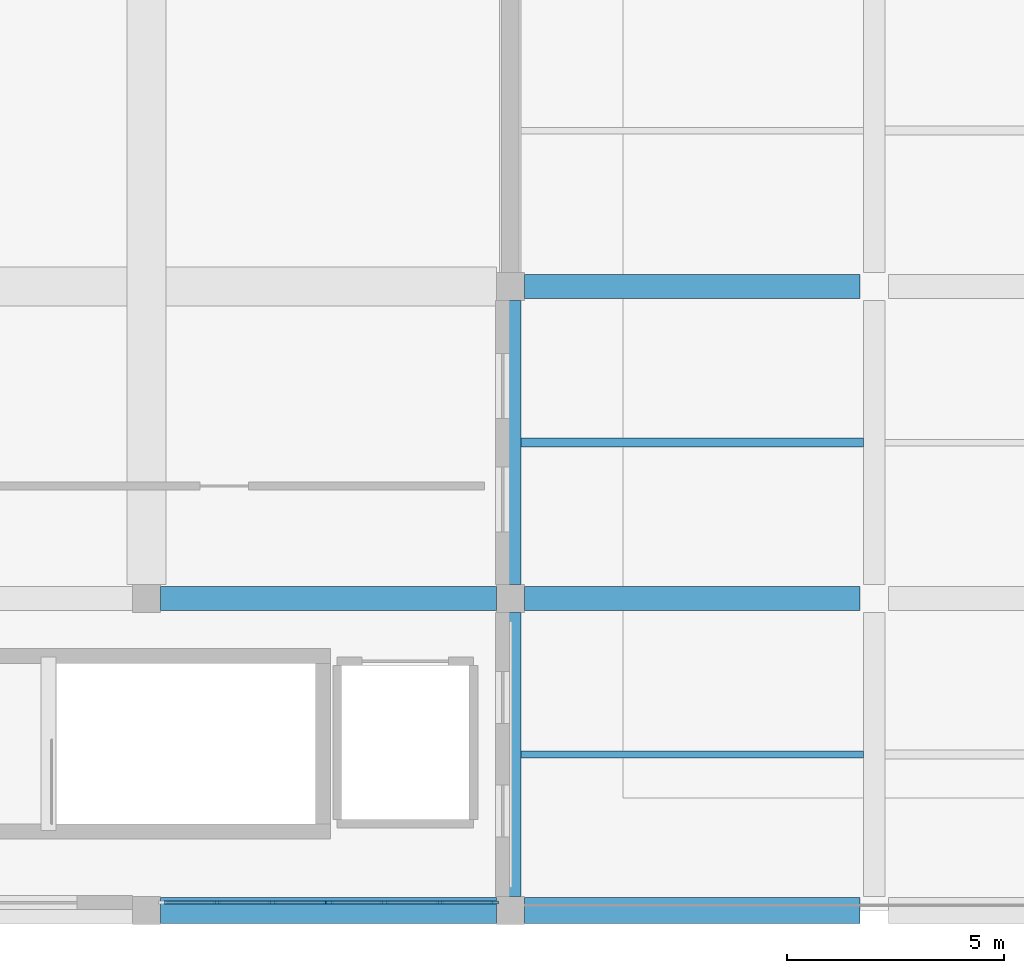
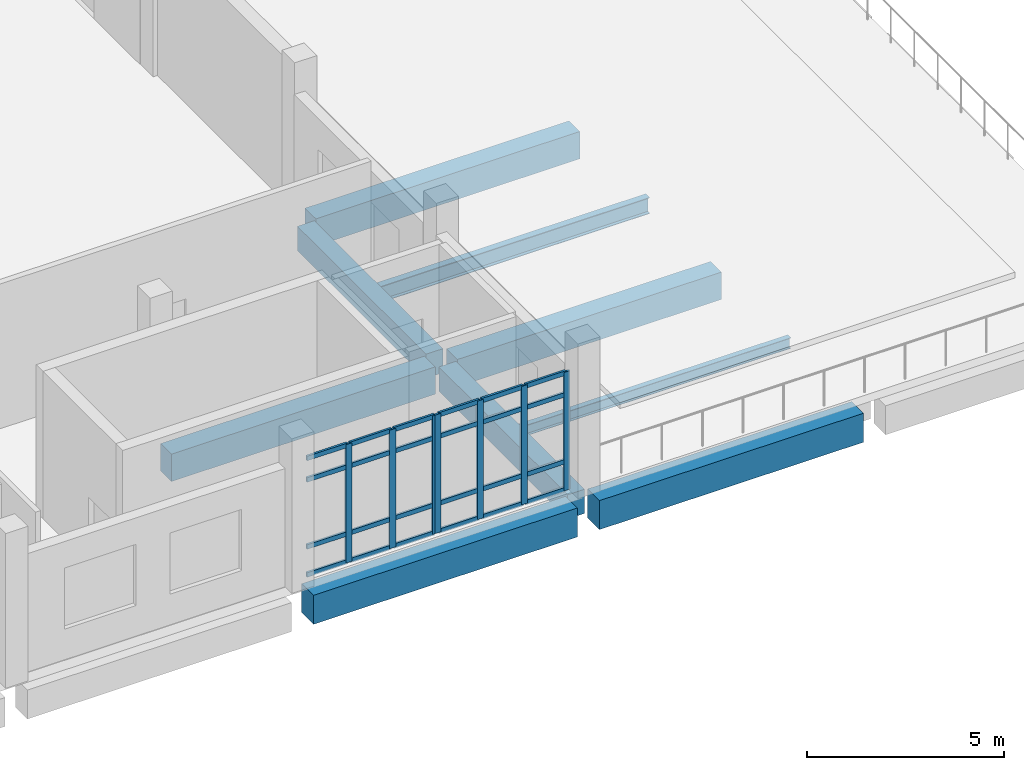
# One storey, part 3 of 73: 31 members, 9 beams, 2 elements without a shape of their own.
"""IFC4 building model written with IfcOpenShell, lengths in metres."""

from ifc_helpers import new_model, si_unit, direction, frame, origin, origin_2d, place, context, subcontext, project, spatial, rectangle, i_section, extrude, material, layer, layer_set, material_profile, profile_set, type_object, element, aggregate, save


model = new_model("IFC4")

# Units and contexts
model_context = context("Model", 3, precision=1e-05, world=origin(), true_north=direction((0.0, 1.0)))
body_context = subcontext(model_context, "Body", "Model", "MODEL_VIEW")
ifc_project = project(units=[si_unit("LENGTHUNIT", "METRE"), si_unit("AREAUNIT", "SQUARE_METRE"), si_unit("VOLUMEUNIT", "CUBIC_METRE"), si_unit("PLANEANGLEUNIT", "RADIAN"), si_unit("MASSUNIT", "GRAM", prefix="KILO")], contexts=[model_context])

# Site, building, storey
site_placement = place(None, origin())
site = spatial("IfcSite", under=ifc_project, at=site_placement, CompositionType="ELEMENT")
building_placement = place(site_placement, origin())
building = spatial("IfcBuilding", under=site, at=building_placement, Name="Kelarvand Opera House", CompositionType="ELEMENT")
storey_placement = place(building_placement, frame((0.0, 0.0, 10.199951171875)))
storey = spatial("IfcBuildingStorey", under=building, at=storey_placement, Name="L02", CompositionType="ELEMENT", Elevation=10.199951171875)

# Curtain wall, members
ifc_material_1 = material(Name="Thermally broken aluminium and low-E glazing", Category="aluminium")
ifc_layer = layer(ifc_material_1, 0.179931640625, Name="Thermally broken aluminium and low-E glazing", Category="aluminium")
ifc_layer_set = layer_set([ifc_layer], Name="Thermally broken aluminium and low-E glazing")
curtain_wall_type = type_object("IfcCurtainWallType", Name="Unitised Low-E Curtain Wall 3861x3680 Mod 1350 CWF-36", PredefinedType="USERDEFINED", material=ifc_layer_set)
curtain_wall_1_placement = place(storey_placement, origin())
curtain_wall_1 = element("IfcCurtainWall", 1, at=curtain_wall_1_placement, inside=storey, type_object=curtain_wall_type, Name="V4 L02 Curtain Wall CWF-36 (159)", ObjectType="UNITISED CURTAIN WALL", PredefinedType="USERDEFINED")
ifc_material_2 = material(Name="Thermally broken anodised aluminium", Category="aluminium")
ifc_material_profile_1 = material_profile(ifc_material_2, rectangle(XDim=0.06494140625, YDim=0.179931640625, at=origin_2d()), Name="ALU MULLION 65x180", Category="aluminium")
ifc_profile_set_1 = profile_set([ifc_material_profile_1], Name="Thermally broken anodised aluminium")
member_type_1 = type_object("IfcMemberType", Name="Curtain Wall Mullion 65x180 Aluminium", PredefinedType="MULLION", material=ifc_profile_set_1)
member_1_placement = place(storey_placement, frame((33.83251953125, 9.179931640625, 0.0), z_axis=(0.0, 0.0, 1.0), x_axis=(0.0, -1.0, 0.0)))
member_1 = element("IfcMember", 2, at=member_1_placement, type_object=member_type_1, Name="CWF-36 mullion 1", PredefinedType="MULLION", context=body_context, shape_type="SweptSolid", body=[
    extrude(rectangle(XDim=0.06494140625, YDim=0.179931640625, at=origin_2d()), origin(), (0.0, 0.0, 1.0), 3.679931640625),
])
member_2_placement = place(storey_placement, frame((32.577880859375, 9.179931640625, 0.0), z_axis=(0.0, 0.0, 1.0), x_axis=(0.0, -1.0, 0.0)))
member_2 = element("IfcMember", 3, at=member_2_placement, type_object=member_type_1, Name="CWF-36 mullion 2", PredefinedType="MULLION", context=body_context, shape_type="SweptSolid", body=[
    extrude(rectangle(XDim=0.06494140625, YDim=0.179931640625, at=origin_2d()), origin(), (0.0, 0.0, 1.0), 3.679931640625),
])
member_3_placement = place(storey_placement, frame((31.291015625, 9.179931640625, 0.0), z_axis=(0.0, 0.0, 1.0), x_axis=(0.0, -1.0, 0.0)))
member_3 = element("IfcMember", 4, at=member_3_placement, type_object=member_type_1, Name="CWF-36 mullion 3", PredefinedType="MULLION", context=body_context, shape_type="SweptSolid", body=[
    extrude(rectangle(XDim=0.06494140625, YDim=0.179931640625, at=origin_2d()), origin(), (0.0, 0.0, 1.0), 3.679931640625),
])
member_4_placement = place(storey_placement, frame((30.03662109375, 9.179931640625, 0.0), z_axis=(0.0, 0.0, 1.0), x_axis=(0.0, -1.0, 0.0)))
member_4 = element("IfcMember", 5, at=member_4_placement, type_object=member_type_1, Name="CWF-36 mullion 4", PredefinedType="MULLION", context=body_context, shape_type="SweptSolid", body=[
    extrude(rectangle(XDim=0.06494140625, YDim=0.179931640625, at=origin_2d()), origin(), (0.0, 0.0, 1.0), 3.679931640625),
])

curtain_wall_2_placement = place(storey_placement, origin())
curtain_wall_2 = element("IfcCurtainWall", 6, at=curtain_wall_2_placement, inside=storey, type_object=curtain_wall_type, Name="V4 L02 Curtain Wall CWF-36 (160)", ObjectType="UNITISED CURTAIN WALL", PredefinedType="USERDEFINED")
member_5_placement = place(storey_placement, frame((29.967529296875, 9.179931640625, 0.0), z_axis=(0.0, 0.0, 1.0), x_axis=(0.0, -1.0, 0.0)))
member_5 = element("IfcMember", 7, at=member_5_placement, type_object=member_type_1, Name="CWF-36 mullion 1", PredefinedType="MULLION", context=body_context, shape_type="SweptSolid", body=[
    extrude(rectangle(XDim=0.06494140625, YDim=0.179931640625, at=origin_2d()), origin(), (0.0, 0.0, 1.0), 3.679931640625),
])
member_6_placement = place(storey_placement, frame((28.711669921875, 9.179931640625, 0.0), z_axis=(0.0, 0.0, 1.0), x_axis=(0.0, -1.0, 0.0)))
member_6 = element("IfcMember", 8, at=member_6_placement, type_object=member_type_1, Name="CWF-36 mullion 2", PredefinedType="MULLION", context=body_context, shape_type="SweptSolid", body=[
    extrude(rectangle(XDim=0.06494140625, YDim=0.179931640625, at=origin_2d()), origin(), (0.0, 0.0, 1.0), 3.679931640625),
])
member_7_placement = place(storey_placement, frame((27.42333984375, 9.179931640625, 0.0), z_axis=(0.0, 0.0, 1.0), x_axis=(0.0, -1.0, 0.0)))
member_7 = element("IfcMember", 9, at=member_7_placement, type_object=member_type_1, Name="CWF-36 mullion 3", PredefinedType="MULLION", context=body_context, shape_type="SweptSolid", body=[
    extrude(rectangle(XDim=0.06494140625, YDim=0.179931640625, at=origin_2d()), origin(), (0.0, 0.0, 1.0), 3.679931640625),
])

# Member
ifc_material_profile_2 = material_profile(ifc_material_2, rectangle(XDim=0.06494140625, YDim=0.139892578125, at=origin_2d()), Name="ALU TRANSOM 65x140", Category="aluminium")
ifc_profile_set_2 = profile_set([ifc_material_profile_2], Name="Thermally broken anodised aluminium")
member_type_2 = type_object("IfcMemberType", Name="Curtain Wall Transom 65x140 Aluminium", PredefinedType="USERDEFINED", material=ifc_profile_set_2)
member_8_placement = place(storey_placement, frame((33.800048828125, 9.179931640625, 0.032470703125), z_axis=(-1.0, 0.0, 0.0), x_axis=(0.0, -1.0, 0.0)))
member_8 = element("IfcMember", 10, at=member_8_placement, type_object=member_type_2, Name="CWF-36 transom 1.1", ObjectType="TRANSOM", PredefinedType="USERDEFINED", context=body_context, shape_type="SweptSolid", body=[
    extrude(rectangle(XDim=0.06494140625, YDim=0.139892578125, at=origin_2d()), origin(), (0.0, 0.0, 1.0), 1.189453125),
])

member_9_placement = place(storey_placement, frame((33.800048828125, 9.179931640625, 0.900146484375), z_axis=(-1.0, 0.0, 0.0), x_axis=(0.0, -1.0, 0.0)))
member_9 = element("IfcMember", 11, at=member_9_placement, type_object=member_type_2, Name="CWF-36 transom 1.2", ObjectType="TRANSOM", PredefinedType="USERDEFINED", context=body_context, shape_type="SweptSolid", body=[
    extrude(rectangle(XDim=0.06494140625, YDim=0.139892578125, at=origin_2d()), origin(), (0.0, 0.0, 1.0), 1.189453125),
])

member_10_placement = place(storey_placement, frame((33.800048828125, 9.179931640625, 2.97998046875), z_axis=(-1.0, 0.0, 0.0), x_axis=(0.0, -1.0, 0.0)))
member_10 = element("IfcMember", 12, at=member_10_placement, type_object=member_type_2, Name="CWF-36 transom 1.3", ObjectType="TRANSOM", PredefinedType="USERDEFINED", context=body_context, shape_type="SweptSolid", body=[
    extrude(rectangle(XDim=0.06494140625, YDim=0.139892578125, at=origin_2d()), origin(), (0.0, 0.0, 1.0), 1.189453125),
])

member_11_placement = place(storey_placement, frame((33.800048828125, 9.179931640625, 3.6474609375), z_axis=(-1.0, 0.0, 0.0), x_axis=(0.0, -1.0, 0.0)))
member_11 = element("IfcMember", 13, at=member_11_placement, type_object=member_type_2, Name="CWF-36 transom 1.4", ObjectType="TRANSOM", PredefinedType="USERDEFINED", context=body_context, shape_type="SweptSolid", body=[
    extrude(rectangle(XDim=0.06494140625, YDim=0.139892578125, at=origin_2d()), origin(), (0.0, 0.0, 1.0), 1.189453125),
])

member_12_placement = place(storey_placement, frame((32.54541015625, 9.179931640625, 0.032470703125), z_axis=(-1.0, 0.0, 0.0), x_axis=(0.0, -1.0, 0.0)))
member_12 = element("IfcMember", 14, at=member_12_placement, type_object=member_type_2, Name="CWF-36 transom 2.1", ObjectType="TRANSOM", PredefinedType="USERDEFINED", context=body_context, shape_type="SweptSolid", body=[
    extrude(rectangle(XDim=0.06494140625, YDim=0.139892578125, at=origin_2d()), origin(), (0.0, 0.0, 1.0), 1.221923828125),
])

member_13_placement = place(storey_placement, frame((32.54541015625, 9.179931640625, 0.900146484375), z_axis=(-1.0, 0.0, 0.0), x_axis=(0.0, -1.0, 0.0)))
member_13 = element("IfcMember", 15, at=member_13_placement, type_object=member_type_2, Name="CWF-36 transom 2.2", ObjectType="TRANSOM", PredefinedType="USERDEFINED", context=body_context, shape_type="SweptSolid", body=[
    extrude(rectangle(XDim=0.06494140625, YDim=0.139892578125, at=origin_2d()), origin(), (0.0, 0.0, 1.0), 1.221923828125),
])

member_14_placement = place(storey_placement, frame((32.54541015625, 9.179931640625, 2.97998046875), z_axis=(-1.0, 0.0, 0.0), x_axis=(0.0, -1.0, 0.0)))
member_14 = element("IfcMember", 16, at=member_14_placement, type_object=member_type_2, Name="CWF-36 transom 2.3", ObjectType="TRANSOM", PredefinedType="USERDEFINED", context=body_context, shape_type="SweptSolid", body=[
    extrude(rectangle(XDim=0.06494140625, YDim=0.139892578125, at=origin_2d()), origin(), (0.0, 0.0, 1.0), 1.221923828125),
])

member_15_placement = place(storey_placement, frame((32.54541015625, 9.179931640625, 3.6474609375), z_axis=(-1.0, 0.0, 0.0), x_axis=(0.0, -1.0, 0.0)))
member_15 = element("IfcMember", 17, at=member_15_placement, type_object=member_type_2, Name="CWF-36 transom 2.4", ObjectType="TRANSOM", PredefinedType="USERDEFINED", context=body_context, shape_type="SweptSolid", body=[
    extrude(rectangle(XDim=0.06494140625, YDim=0.139892578125, at=origin_2d()), origin(), (0.0, 0.0, 1.0), 1.221923828125),
])

member_16_placement = place(storey_placement, frame((31.258544921875, 9.179931640625, 0.032470703125), z_axis=(-1.0, 0.0, 0.0), x_axis=(0.0, -1.0, 0.0)))
member_16 = element("IfcMember", 18, at=member_16_placement, type_object=member_type_2, Name="CWF-36 transom 3.1", ObjectType="TRANSOM", PredefinedType="USERDEFINED", context=body_context, shape_type="SweptSolid", body=[
    extrude(rectangle(XDim=0.06494140625, YDim=0.139892578125, at=origin_2d()), origin(), (0.0, 0.0, 1.0), 1.189453125),
])

member_17_placement = place(storey_placement, frame((31.258544921875, 9.179931640625, 0.900146484375), z_axis=(-1.0, 0.0, 0.0), x_axis=(0.0, -1.0, 0.0)))
member_17 = element("IfcMember", 19, at=member_17_placement, type_object=member_type_2, Name="CWF-36 transom 3.2", ObjectType="TRANSOM", PredefinedType="USERDEFINED", context=body_context, shape_type="SweptSolid", body=[
    extrude(rectangle(XDim=0.06494140625, YDim=0.139892578125, at=origin_2d()), origin(), (0.0, 0.0, 1.0), 1.189453125),
])

member_18_placement = place(storey_placement, frame((31.258544921875, 9.179931640625, 2.97998046875), z_axis=(-1.0, 0.0, 0.0), x_axis=(0.0, -1.0, 0.0)))
member_18 = element("IfcMember", 20, at=member_18_placement, type_object=member_type_2, Name="CWF-36 transom 3.3", ObjectType="TRANSOM", PredefinedType="USERDEFINED", context=body_context, shape_type="SweptSolid", body=[
    extrude(rectangle(XDim=0.06494140625, YDim=0.139892578125, at=origin_2d()), origin(), (0.0, 0.0, 1.0), 1.189453125),
])

member_19_placement = place(storey_placement, frame((31.258544921875, 9.179931640625, 3.6474609375), z_axis=(-1.0, 0.0, 0.0), x_axis=(0.0, -1.0, 0.0)))
member_19 = element("IfcMember", 21, at=member_19_placement, type_object=member_type_2, Name="CWF-36 transom 3.4", ObjectType="TRANSOM", PredefinedType="USERDEFINED", context=body_context, shape_type="SweptSolid", body=[
    extrude(rectangle(XDim=0.06494140625, YDim=0.139892578125, at=origin_2d()), origin(), (0.0, 0.0, 1.0), 1.189453125),
])

aggregate(curtain_wall_1, [member_1, member_2, member_3, member_4, member_8, member_9, member_10, member_11, member_12, member_13, member_14, member_15, member_16, member_17, member_18, member_19])

member_20_placement = place(storey_placement, frame((29.93505859375, 9.179931640625, 0.032470703125), z_axis=(-1.0, 0.0, 0.0), x_axis=(0.0, -1.0, 0.0)))
member_20 = element("IfcMember", 22, at=member_20_placement, type_object=member_type_2, Name="CWF-36 transom 1.1", ObjectType="TRANSOM", PredefinedType="USERDEFINED", context=body_context, shape_type="SweptSolid", body=[
    extrude(rectangle(XDim=0.06494140625, YDim=0.139892578125, at=origin_2d()), origin(), (0.0, 0.0, 1.0), 1.19091796875),
])

member_21_placement = place(storey_placement, frame((29.93505859375, 9.179931640625, 0.900146484375), z_axis=(-1.0, 0.0, 0.0), x_axis=(0.0, -1.0, 0.0)))
member_21 = element("IfcMember", 23, at=member_21_placement, type_object=member_type_2, Name="CWF-36 transom 1.2", ObjectType="TRANSOM", PredefinedType="USERDEFINED", context=body_context, shape_type="SweptSolid", body=[
    extrude(rectangle(XDim=0.06494140625, YDim=0.139892578125, at=origin_2d()), origin(), (0.0, 0.0, 1.0), 1.19091796875),
])

member_22_placement = place(storey_placement, frame((29.93505859375, 9.179931640625, 2.97998046875), z_axis=(-1.0, 0.0, 0.0), x_axis=(0.0, -1.0, 0.0)))
member_22 = element("IfcMember", 24, at=member_22_placement, type_object=member_type_2, Name="CWF-36 transom 1.3", ObjectType="TRANSOM", PredefinedType="USERDEFINED", context=body_context, shape_type="SweptSolid", body=[
    extrude(rectangle(XDim=0.06494140625, YDim=0.139892578125, at=origin_2d()), origin(), (0.0, 0.0, 1.0), 1.19091796875),
])

member_23_placement = place(storey_placement, frame((29.93505859375, 9.179931640625, 3.6474609375), z_axis=(-1.0, 0.0, 0.0), x_axis=(0.0, -1.0, 0.0)))
member_23 = element("IfcMember", 25, at=member_23_placement, type_object=member_type_2, Name="CWF-36 transom 1.4", ObjectType="TRANSOM", PredefinedType="USERDEFINED", context=body_context, shape_type="SweptSolid", body=[
    extrude(rectangle(XDim=0.06494140625, YDim=0.139892578125, at=origin_2d()), origin(), (0.0, 0.0, 1.0), 1.19091796875),
])

member_24_placement = place(storey_placement, frame((28.67919921875, 9.179931640625, 0.032470703125), z_axis=(-1.0, 0.0, 0.0), x_axis=(0.0, -1.0, 0.0)))
member_24 = element("IfcMember", 26, at=member_24_placement, type_object=member_type_2, Name="CWF-36 transom 2.1", ObjectType="TRANSOM", PredefinedType="USERDEFINED", context=body_context, shape_type="SweptSolid", body=[
    extrude(rectangle(XDim=0.06494140625, YDim=0.139892578125, at=origin_2d()), origin(), (0.0, 0.0, 1.0), 1.223388671875),
])

member_25_placement = place(storey_placement, frame((28.67919921875, 9.179931640625, 0.900146484375), z_axis=(-1.0, 0.0, 0.0), x_axis=(0.0, -1.0, 0.0)))
member_25 = element("IfcMember", 27, at=member_25_placement, type_object=member_type_2, Name="CWF-36 transom 2.2", ObjectType="TRANSOM", PredefinedType="USERDEFINED", context=body_context, shape_type="SweptSolid", body=[
    extrude(rectangle(XDim=0.06494140625, YDim=0.139892578125, at=origin_2d()), origin(), (0.0, 0.0, 1.0), 1.223388671875),
])

member_26_placement = place(storey_placement, frame((28.67919921875, 9.179931640625, 2.97998046875), z_axis=(-1.0, 0.0, 0.0), x_axis=(0.0, -1.0, 0.0)))
member_26 = element("IfcMember", 28, at=member_26_placement, type_object=member_type_2, Name="CWF-36 transom 2.3", ObjectType="TRANSOM", PredefinedType="USERDEFINED", context=body_context, shape_type="SweptSolid", body=[
    extrude(rectangle(XDim=0.06494140625, YDim=0.139892578125, at=origin_2d()), origin(), (0.0, 0.0, 1.0), 1.223388671875),
])

member_27_placement = place(storey_placement, frame((28.67919921875, 9.179931640625, 3.6474609375), z_axis=(-1.0, 0.0, 0.0), x_axis=(0.0, -1.0, 0.0)))
member_27 = element("IfcMember", 29, at=member_27_placement, type_object=member_type_2, Name="CWF-36 transom 2.4", ObjectType="TRANSOM", PredefinedType="USERDEFINED", context=body_context, shape_type="SweptSolid", body=[
    extrude(rectangle(XDim=0.06494140625, YDim=0.139892578125, at=origin_2d()), origin(), (0.0, 0.0, 1.0), 1.223388671875),
])

member_28_placement = place(storey_placement, frame((27.390869140625, 9.179931640625, 0.032470703125), z_axis=(-1.0, 0.0, 0.0), x_axis=(0.0, -1.0, 0.0)))
member_28 = element("IfcMember", 30, at=member_28_placement, type_object=member_type_2, Name="CWF-36 transom 3.1", ObjectType="TRANSOM", PredefinedType="USERDEFINED", context=body_context, shape_type="SweptSolid", body=[
    extrude(rectangle(XDim=0.06494140625, YDim=0.139892578125, at=origin_2d()), origin(), (0.0, 0.0, 1.0), 1.19091796875),
])

member_29_placement = place(storey_placement, frame((27.390869140625, 9.179931640625, 0.900146484375), z_axis=(-1.0, 0.0, 0.0), x_axis=(0.0, -1.0, 0.0)))
member_29 = element("IfcMember", 31, at=member_29_placement, type_object=member_type_2, Name="CWF-36 transom 3.2", ObjectType="TRANSOM", PredefinedType="USERDEFINED", context=body_context, shape_type="SweptSolid", body=[
    extrude(rectangle(XDim=0.06494140625, YDim=0.139892578125, at=origin_2d()), origin(), (0.0, 0.0, 1.0), 1.19091796875),
])

member_30_placement = place(storey_placement, frame((27.390869140625, 9.179931640625, 2.97998046875), z_axis=(-1.0, 0.0, 0.0), x_axis=(0.0, -1.0, 0.0)))
member_30 = element("IfcMember", 32, at=member_30_placement, type_object=member_type_2, Name="CWF-36 transom 3.3", ObjectType="TRANSOM", PredefinedType="USERDEFINED", context=body_context, shape_type="SweptSolid", body=[
    extrude(rectangle(XDim=0.06494140625, YDim=0.139892578125, at=origin_2d()), origin(), (0.0, 0.0, 1.0), 1.19091796875),
])

member_31_placement = place(storey_placement, frame((27.390869140625, 9.179931640625, 3.6474609375), z_axis=(-1.0, 0.0, 0.0), x_axis=(0.0, -1.0, 0.0)))
member_31 = element("IfcMember", 33, at=member_31_placement, type_object=member_type_2, Name="CWF-36 transom 3.4", ObjectType="TRANSOM", PredefinedType="USERDEFINED", context=body_context, shape_type="SweptSolid", body=[
    extrude(rectangle(XDim=0.06494140625, YDim=0.139892578125, at=origin_2d()), origin(), (0.0, 0.0, 1.0), 1.19091796875),
])

aggregate(curtain_wall_2, [member_5, member_6, member_7, member_20, member_21, member_22, member_23, member_24, member_25, member_26, member_27, member_28, member_29, member_30, member_31])

# Beams
ifc_material_3 = material(Name="Concrete C40/50", Category="concrete")
ifc_material_profile_3 = material_profile(ifc_material_3, rectangle(XDim=0.5, YDim=0.75, at=origin_2d()), Name="RC 500x750", Category="concrete")
ifc_profile_set_3 = profile_set([ifc_material_profile_3], Name="Concrete C40/50")
beam_type_1 = type_object("IfcBeamType", Name="Structural Beam RC 500x750 BM-RC500x750", PredefinedType="BEAM", material=ifc_profile_set_3)
for number, where, z_axis, x_axis, name in (
    (34, (34.199951171875, 9.324951171875, -0.675048828125), (0.0, 1.0, 0.0), (-1.0, 0.0, 0.0), "V4 L02 Beam BM-RC500x750"),
    (35, (34.199951171875, 16.52490234375, -0.675048828125), (0.0, 1.0, 0.0), (-1.0, 0.0, 0.0), "V4 L02 Beam BM-RC500x750"),
):
    element("IfcBeam", number, at=place(storey_placement, frame(where, z_axis=z_axis, x_axis=x_axis)), inside=storey, type_object=beam_type_1, Name=name, PredefinedType="BEAM", context=body_context, shape_type="SweptSolid", body=[
        extrude(rectangle(XDim=0.5, YDim=0.75, at=origin_2d()), origin(), (0.0, 0.0, 1.0), 6.550048828125),
    ])
ifc_material_profile_4 = material_profile(ifc_material_3, rectangle(XDim=0.550048828125, YDim=0.85009765625, at=origin_2d()), Name="RC 550x850", Category="concrete")
ifc_profile_set_4 = profile_set([ifc_material_profile_4], Name="Concrete C40/50")
beam_type_2 = type_object("IfcBeamType", Name="Structural Beam RC 550x850 BM-RC550x850", PredefinedType="BEAM", material=ifc_profile_set_4)
for number, where, z_axis, x_axis, name in (
    (36, (26.125, 16.199951171875, -0.724853515625), (1.0, 0.0, 0.0), (0.0, 1.0, 0.0), "V4 L02 Beam BM-RC550x850"),
    (37, (34.52490234375, 16.199951171875, -0.724853515625), (1.0, 0.0, 0.0), (0.0, 1.0, 0.0), "V4 L02 Beam BM-RC550x850"),
    (38, (34.52490234375, 23.39990234375, -0.724853515625), (1.0, 0.0, 0.0), (0.0, 1.0, 0.0), "V4 L02 Beam BM-RC550x850"),
):
    element("IfcBeam", number, at=place(storey_placement, frame(where, z_axis=z_axis, x_axis=x_axis)), inside=storey, type_object=beam_type_2, Name=name, PredefinedType="BEAM", context=body_context, shape_type="SweptSolid", body=[
        extrude(rectangle(XDim=0.550048828125, YDim=0.85009765625, at=origin_2d()), origin(), (0.0, 0.0, 1.0), 7.75),
    ])
ifc_material_4 = material(Name="Steel S355", Category="steel")
ifc_material_profile_5 = material_profile(ifc_material_4, i_section(OverallWidth=0.159912109375, OverallDepth=0.330078125, WebThickness=0.007568359375, FlangeThickness=0.011474609375, at=origin_2d()), Name="IPE 330", Category="steel")
ifc_profile_set_5 = profile_set([ifc_material_profile_5], Name="Steel S355")
beam_type_3 = type_object("IfcBeamType", Name="Structural Joist IPE 330 JS-IPE330", PredefinedType="JOIST", material=ifc_profile_set_5)
beam_1_placement = place(storey_placement, frame((34.449951171875, 12.60009765625, -0.46484375), z_axis=(1.0, 0.0, 0.0), x_axis=(0.0, 1.0, 0.0)))
element("IfcBeam", 39, at=beam_1_placement, inside=storey, type_object=beam_type_3, Name="V4 L02 Beam JS-IPE330", PredefinedType="JOIST", context=body_context, shape_type="SweptSolid", body=[
    extrude(i_section(OverallWidth=0.159912109375, OverallDepth=0.330078125, WebThickness=0.007568359375, FlangeThickness=0.011474609375, at=origin_2d()), origin(), (0.0, 0.0, 1.0), 7.900146484375),
])
ifc_material_profile_6 = material_profile(ifc_material_4, i_section(OverallWidth=0.199951171875, OverallDepth=0.5, WebThickness=0.01025390625, FlangeThickness=0.01611328125, at=origin_2d()), Name="IPE 500", Category="steel")
ifc_profile_set_6 = profile_set([ifc_material_profile_6], Name="Steel S355")
beam_type_4 = type_object("IfcBeamType", Name="Structural Joist IPE 500 JS-IPE500", PredefinedType="JOIST", material=ifc_profile_set_6)
beam_2_placement = place(storey_placement, frame((34.449951171875, 19.800048828125, -0.550048828125), z_axis=(1.0, 0.0, 0.0), x_axis=(0.0, 1.0, 0.0)))
element("IfcBeam", 40, at=beam_2_placement, inside=storey, type_object=beam_type_4, Name="V4 L02 Beam JS-IPE500", PredefinedType="JOIST", context=body_context, shape_type="SweptSolid", body=[
    extrude(i_section(OverallWidth=0.199951171875, OverallDepth=0.5, WebThickness=0.01025390625, FlangeThickness=0.01611328125, at=origin_2d()), origin(), (0.0, 0.0, 1.0), 7.900146484375),
])
ifc_material_profile_7 = material_profile(ifc_material_3, rectangle(XDim=0.60009765625, YDim=0.89990234375, at=origin_2d()), Name="RC 600x900", Category="concrete")
ifc_profile_set_7 = profile_set([ifc_material_profile_7], Name="Concrete C40/50")
beam_type_5 = type_object("IfcBeamType", Name="Structural Spandrel RC 600x900 SP-RC600x900E", PredefinedType="SPANDREL", material=ifc_profile_set_7)
for number, where, z_axis, x_axis, name in (
    (41, (26.125, 9.0, -0.75), (1.0, 0.0, 0.0), (0.0, 1.0, 0.0), "V4 L02 Beam SP-RC600x900E"),
    (42, (34.52490234375, 9.0, -0.75), (1.0, 0.0, 0.0), (0.0, 1.0, 0.0), "V4 L02 Beam SP-RC600x900E"),
):
    element("IfcBeam", number, at=place(storey_placement, frame(where, z_axis=z_axis, x_axis=x_axis)), inside=storey, type_object=beam_type_5, Name=name, PredefinedType="SPANDREL", context=body_context, shape_type="SweptSolid", body=[
        extrude(rectangle(XDim=0.60009765625, YDim=0.89990234375, at=origin_2d()), origin(), (0.0, 0.0, 1.0), 7.75),
    ])

save(model, "model.ifc")
